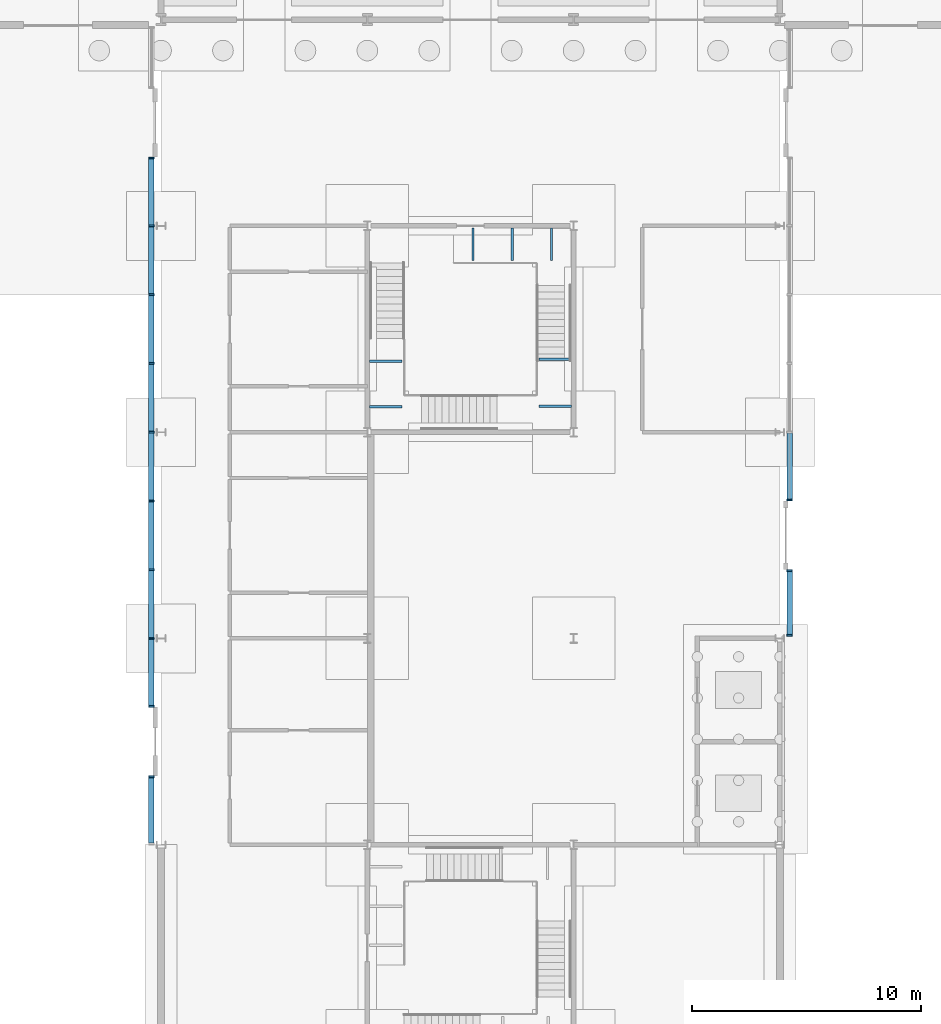
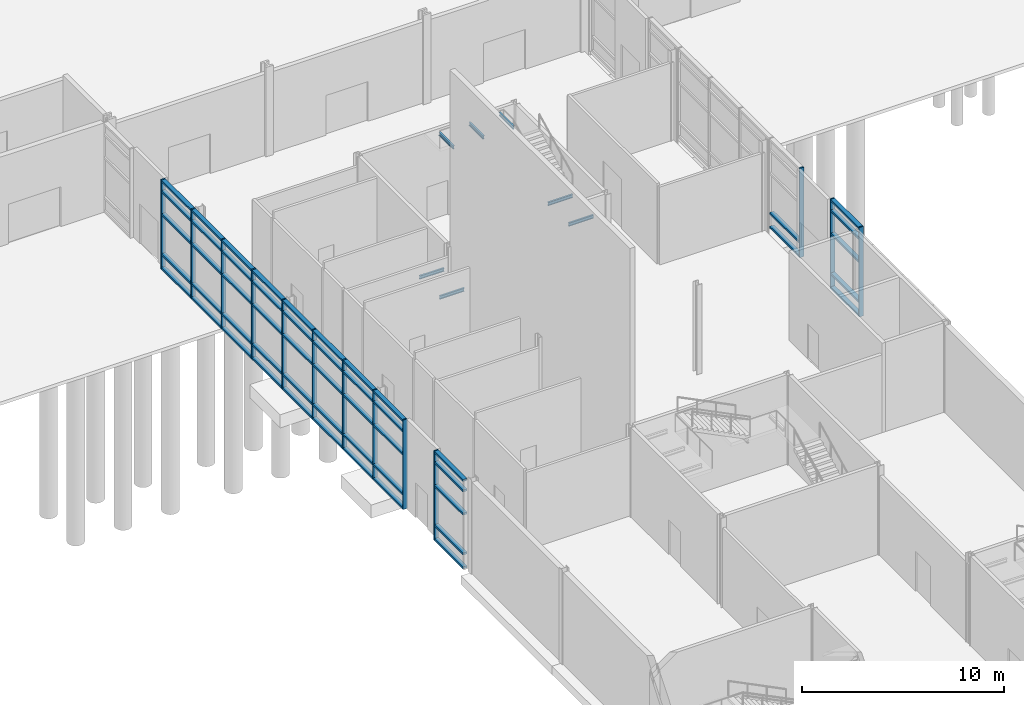
# One storey, part 15 of 45: 65 members, 7 beams, 4 elements without a shape of their own.
"""IFC4 building model written with IfcOpenShell, lengths in metres."""

from ifc_helpers import new_model, si_unit, direction, frame, origin, origin_2d, place, context, subcontext, project, spatial, rectangle, i_section, extrude, material, material_profile, profile_set, type_object, element, aggregate, save


model = new_model("IFC4")

# Units and contexts
model_context = context("Model", 3, precision=1e-05, world=origin(), true_north=direction((0.0, 1.0)))
body_context = subcontext(model_context, "Body", "Model", "MODEL_VIEW")
ifc_project = project(units=[si_unit("LENGTHUNIT", "METRE"), si_unit("AREAUNIT", "SQUARE_METRE"), si_unit("VOLUMEUNIT", "CUBIC_METRE"), si_unit("PLANEANGLEUNIT", "RADIAN"), si_unit("MASSUNIT", "GRAM", prefix="KILO")], contexts=[model_context])

# Site, building, storey
site_placement = place(None, origin())
site = spatial("IfcSite", under=ifc_project, at=site_placement, CompositionType="ELEMENT")
building_placement = place(site_placement, origin())
building = spatial("IfcBuilding", under=site, at=building_placement, Name="Azimuth Sports and Learning Centre", CompositionType="ELEMENT")
storey_placement = place(building_placement, origin())
storey = spatial("IfcBuildingStorey", under=building, at=storey_placement, Name="L00", CompositionType="ELEMENT", Elevation=0.0)

# Beams
ifc_material_1 = material(Name="Steel S355", Category="steel")
ifc_material_profile_1 = material_profile(ifc_material_1, i_section(OverallWidth=0.10009765625, OverallDepth=0.199951171875, WebThickness=0.005615234375, FlangeThickness=0.008544921875, FilletRadius=0.011962890625, at=origin_2d()), Name="IPE 200")
ifc_profile_set_1 = profile_set([ifc_material_profile_1], Name="Steel S355")
beam_type = type_object("IfcBeamType", Name="Beam IPE 200", PredefinedType="BEAM", material=ifc_profile_set_1)
for number, where, z_axis, x_axis, name in (
    (1, (81.10009765625, 73.105224609375, 1.5), (1.0, 0.0, 0.0), (0.0, 1.0, 0.0), "Landing bracket STD L00 1161"),
    (2, (81.10009765625, 75.095458984375, 1.5), (1.0, 0.0, 0.0), (0.0, 1.0, 0.0), "Landing bracket STD L00 1162"),
    (3, (89.89990234375, 73.135009765625, 3.300048828125), (-1.0, 0.0, 0.0), (0.0, -1.0, 0.0), "Landing bracket STD L00 1163"),
    (4, (89.89990234375, 75.18505859375, 3.300048828125), (-1.0, 0.0, 0.0), (0.0, -1.0, 0.0), "Landing bracket STD L00 1164"),
    (5, (85.606689453125, 80.89990234375, 5.10009765625), (0.0, -1.0, 0.0), (1.0, 0.0, 0.0), "Landing bracket STD L00 1165"),
    (6, (87.320068359375, 80.89990234375, 5.10009765625), (0.0, -1.0, 0.0), (1.0, 0.0, 0.0), "Landing bracket STD L00 1166"),
    (7, (89.033447265625, 80.89990234375, 5.10009765625), (0.0, -1.0, 0.0), (1.0, 0.0, 0.0), "Landing bracket STD L00 1167"),
):
    element("IfcBeam", number, at=place(storey_placement, frame(where, z_axis=z_axis, x_axis=x_axis)), inside=storey, type_object=beam_type, Name=name, PredefinedType="BEAM", context=body_context, shape_type="SweptSolid", body=[
        extrude(i_section(OverallWidth=0.10009765625, OverallDepth=0.199951171875, WebThickness=0.005615234375, FlangeThickness=0.008544921875, FilletRadius=0.011962890625, at=origin_2d()), origin(), (0.0, 0.0, 1.0), 1.409912109375),
    ])

# Curtain wall, members
ifc_material_2 = material(Name="Aluminium and glass", Category="aluminium")
curtain_wall_type = type_object("IfcCurtainWallType", Name="Curtain wall podium stem 240", PredefinedType="NOTDEFINED", material=ifc_material_2)
curtain_wall_1_placement = place(storey_placement, origin())
curtain_wall_1 = element("IfcCurtainWall", 8, at=curtain_wall_1_placement, inside=storey, type_object=curtain_wall_type, Name="Curtain wall CW00-004", PredefinedType="NOTDEFINED")
ifc_material_3 = material(Name="Aluminium", Category="aluminium")
ifc_material_profile_2 = material_profile(ifc_material_3, rectangle(XDim=0.239990234375, YDim=0.080078125, at=origin_2d()), Name="Mullion 80x240")
ifc_profile_set_2 = profile_set([ifc_material_profile_2], Name="Aluminium")
member_type_1 = type_object("IfcMemberType", Name="Mullion 80x240", PredefinedType="MULLION", material=ifc_profile_set_2)
member_1_placement = place(storey_placement, frame((71.580078125, 83.9599609375, 0.0), z_axis=(0.0, 0.0, 1.0), x_axis=(1.0, 0.0, 0.0)))
member_1 = element("IfcMember", 9, at=member_1_placement, type_object=member_type_1, Name="CW00-004 mullion 1", PredefinedType="MULLION", context=body_context, shape_type="SweptSolid", body=[
    extrude(rectangle(XDim=0.239990234375, YDim=0.080078125, at=origin_2d()), origin(), (0.0, 0.0, 1.0), 5.39990234375),
])
member_2_placement = place(storey_placement, frame((71.580078125, 81.0, 0.0), z_axis=(0.0, 0.0, 1.0), x_axis=(1.0, 0.0, 0.0)))
member_2 = element("IfcMember", 10, at=member_2_placement, type_object=member_type_1, Name="CW00-004 mullion 2", PredefinedType="MULLION", context=body_context, shape_type="SweptSolid", body=[
    extrude(rectangle(XDim=0.239990234375, YDim=0.080078125, at=origin_2d()), origin(), (0.0, 0.0, 1.0), 5.39990234375),
])
member_3_placement = place(storey_placement, frame((71.580078125, 78.0, 0.0), z_axis=(0.0, 0.0, 1.0), x_axis=(1.0, 0.0, 0.0)))
member_3 = element("IfcMember", 11, at=member_3_placement, type_object=member_type_1, Name="CW00-004 mullion 3", PredefinedType="MULLION", context=body_context, shape_type="SweptSolid", body=[
    extrude(rectangle(XDim=0.239990234375, YDim=0.080078125, at=origin_2d()), origin(), (0.0, 0.0, 1.0), 5.39990234375),
])
member_4_placement = place(storey_placement, frame((71.580078125, 75.0, 0.0), z_axis=(0.0, 0.0, 1.0), x_axis=(1.0, 0.0, 0.0)))
member_4 = element("IfcMember", 12, at=member_4_placement, type_object=member_type_1, Name="CW00-004 mullion 4", PredefinedType="MULLION", context=body_context, shape_type="SweptSolid", body=[
    extrude(rectangle(XDim=0.239990234375, YDim=0.080078125, at=origin_2d()), origin(), (0.0, 0.0, 1.0), 5.39990234375),
])
member_5_placement = place(storey_placement, frame((71.580078125, 72.0, 0.0), z_axis=(0.0, 0.0, 1.0), x_axis=(1.0, 0.0, 0.0)))
member_5 = element("IfcMember", 13, at=member_5_placement, type_object=member_type_1, Name="CW00-004 mullion 5", PredefinedType="MULLION", context=body_context, shape_type="SweptSolid", body=[
    extrude(rectangle(XDim=0.239990234375, YDim=0.080078125, at=origin_2d()), origin(), (0.0, 0.0, 1.0), 5.39990234375),
])
member_6_placement = place(storey_placement, frame((71.580078125, 69.0, 0.0), z_axis=(0.0, 0.0, 1.0), x_axis=(1.0, 0.0, 0.0)))
member_6 = element("IfcMember", 14, at=member_6_placement, type_object=member_type_1, Name="CW00-004 mullion 6", PredefinedType="MULLION", context=body_context, shape_type="SweptSolid", body=[
    extrude(rectangle(XDim=0.239990234375, YDim=0.080078125, at=origin_2d()), origin(), (0.0, 0.0, 1.0), 5.39990234375),
])
member_7_placement = place(storey_placement, frame((71.580078125, 66.0, 0.0), z_axis=(0.0, 0.0, 1.0), x_axis=(1.0, 0.0, 0.0)))
member_7 = element("IfcMember", 15, at=member_7_placement, type_object=member_type_1, Name="CW00-004 mullion 7", PredefinedType="MULLION", context=body_context, shape_type="SweptSolid", body=[
    extrude(rectangle(XDim=0.239990234375, YDim=0.080078125, at=origin_2d()), origin(), (0.0, 0.0, 1.0), 5.39990234375),
])
member_8_placement = place(storey_placement, frame((71.580078125, 63.0, 0.0), z_axis=(0.0, 0.0, 1.0), x_axis=(1.0, 0.0, 0.0)))
member_8 = element("IfcMember", 16, at=member_8_placement, type_object=member_type_1, Name="CW00-004 mullion 8", PredefinedType="MULLION", context=body_context, shape_type="SweptSolid", body=[
    extrude(rectangle(XDim=0.239990234375, YDim=0.080078125, at=origin_2d()), origin(), (0.0, 0.0, 1.0), 5.39990234375),
])
member_9_placement = place(storey_placement, frame((71.580078125, 60.0400390625, 0.0), z_axis=(0.0, 0.0, 1.0), x_axis=(1.0, 0.0, 0.0)))
member_9 = element("IfcMember", 17, at=member_9_placement, type_object=member_type_1, Name="CW00-004 mullion 9", PredefinedType="MULLION", context=body_context, shape_type="SweptSolid", body=[
    extrude(rectangle(XDim=0.239990234375, YDim=0.080078125, at=origin_2d()), origin(), (0.0, 0.0, 1.0), 5.39990234375),
])

# Curtain wall, member
curtain_wall_2_placement = place(storey_placement, origin())
curtain_wall_2 = element("IfcCurtainWall", 18, at=curtain_wall_2_placement, inside=storey, type_object=curtain_wall_type, Name="Curtain wall CW00-005", PredefinedType="NOTDEFINED")
member_10_placement = place(storey_placement, frame((71.580078125, 56.9599609375, 0.0), z_axis=(0.0, 0.0, 1.0), x_axis=(1.0, 0.0, 0.0)))
member_10 = element("IfcMember", 19, at=member_10_placement, type_object=member_type_1, Name="CW00-005 mullion 1", PredefinedType="MULLION", context=body_context, shape_type="SweptSolid", body=[
    extrude(rectangle(XDim=0.239990234375, YDim=0.080078125, at=origin_2d()), origin(), (0.0, 0.0, 1.0), 5.39990234375),
])

# Curtain wall, members
curtain_wall_3_placement = place(storey_placement, origin())
curtain_wall_3 = element("IfcCurtainWall", 20, at=curtain_wall_3_placement, inside=storey, type_object=curtain_wall_type, Name="Curtain wall CW00-006", PredefinedType="NOTDEFINED")
member_11_placement = place(storey_placement, frame((99.419921875, 63.139892578125, 0.0), z_axis=(0.0, 0.0, 1.0), x_axis=(-1.0, 0.0, 0.0)))
member_11 = element("IfcMember", 21, at=member_11_placement, type_object=member_type_1, Name="CW00-006 mullion 1", PredefinedType="MULLION", context=body_context, shape_type="SweptSolid", body=[
    extrude(rectangle(XDim=0.239990234375, YDim=0.080078125, at=origin_2d()), origin(), (0.0, 0.0, 1.0), 5.39990234375),
])
member_12_placement = place(storey_placement, frame((99.419921875, 65.9599609375, 0.0), z_axis=(0.0, 0.0, 1.0), x_axis=(-1.0, 0.0, 0.0)))
member_12 = element("IfcMember", 22, at=member_12_placement, type_object=member_type_1, Name="CW00-006 mullion 2", PredefinedType="MULLION", context=body_context, shape_type="SweptSolid", body=[
    extrude(rectangle(XDim=0.239990234375, YDim=0.080078125, at=origin_2d()), origin(), (0.0, 0.0, 1.0), 5.39990234375),
])

# Curtain wall, member
curtain_wall_4_placement = place(storey_placement, origin())
curtain_wall_4 = element("IfcCurtainWall", 23, at=curtain_wall_4_placement, inside=storey, type_object=curtain_wall_type, Name="Curtain wall CW00-007", PredefinedType="NOTDEFINED")
member_13_placement = place(storey_placement, frame((99.419921875, 69.0400390625, 0.0), z_axis=(0.0, 0.0, 1.0), x_axis=(-1.0, 0.0, 0.0)))
member_13 = element("IfcMember", 24, at=member_13_placement, type_object=member_type_1, Name="CW00-007 mullion 1", PredefinedType="MULLION", context=body_context, shape_type="SweptSolid", body=[
    extrude(rectangle(XDim=0.239990234375, YDim=0.080078125, at=origin_2d()), origin(), (0.0, 0.0, 1.0), 5.39990234375),
])

# Member
ifc_material_4 = material(Name="Aluminium", Category="aluminium")
ifc_material_profile_3 = material_profile(ifc_material_4, rectangle(XDim=0.239990234375, YDim=0.1201171875, at=origin_2d()), Name="Transom 120x240")
ifc_profile_set_3 = profile_set([ifc_material_profile_3], Name="Aluminium")
member_type_2 = type_object("IfcMemberType", Name="Transom 120x240", PredefinedType="USERDEFINED", material=ifc_profile_set_3)
member_14_placement = place(storey_placement, frame((71.580078125, 83.919921875, 0.06005859375), z_axis=(0.0, -1.0, 0.0), x_axis=(1.0, 0.0, 0.0)))
member_14 = element("IfcMember", 25, at=member_14_placement, type_object=member_type_2, Name="CW00-004 transom 1.1", ObjectType="TRANSOM", PredefinedType="USERDEFINED", context=body_context, shape_type="SweptSolid", body=[
    extrude(rectangle(XDim=0.239990234375, YDim=0.1201171875, at=origin_2d()), origin(), (0.0, 0.0, 1.0), 2.8798828125),
])

member_15_placement = place(storey_placement, frame((71.580078125, 83.919921875, 0.89990234375), z_axis=(0.0, -1.0, 0.0), x_axis=(1.0, 0.0, 0.0)))
member_15 = element("IfcMember", 26, at=member_15_placement, type_object=member_type_2, Name="CW00-004 transom 1.2", ObjectType="TRANSOM", PredefinedType="USERDEFINED", context=body_context, shape_type="SweptSolid", body=[
    extrude(rectangle(XDim=0.239990234375, YDim=0.1201171875, at=origin_2d()), origin(), (0.0, 0.0, 1.0), 2.8798828125),
])

member_16_placement = place(storey_placement, frame((71.580078125, 83.919921875, 3.300048828125), z_axis=(0.0, -1.0, 0.0), x_axis=(1.0, 0.0, 0.0)))
member_16 = element("IfcMember", 27, at=member_16_placement, type_object=member_type_2, Name="CW00-004 transom 1.3", ObjectType="TRANSOM", PredefinedType="USERDEFINED", context=body_context, shape_type="SweptSolid", body=[
    extrude(rectangle(XDim=0.239990234375, YDim=0.1201171875, at=origin_2d()), origin(), (0.0, 0.0, 1.0), 2.8798828125),
])

member_17_placement = place(storey_placement, frame((71.580078125, 83.919921875, 4.699951171875), z_axis=(0.0, -1.0, 0.0), x_axis=(1.0, 0.0, 0.0)))
member_17 = element("IfcMember", 28, at=member_17_placement, type_object=member_type_2, Name="CW00-004 transom 1.4", ObjectType="TRANSOM", PredefinedType="USERDEFINED", context=body_context, shape_type="SweptSolid", body=[
    extrude(rectangle(XDim=0.239990234375, YDim=0.1201171875, at=origin_2d()), origin(), (0.0, 0.0, 1.0), 2.8798828125),
])

member_18_placement = place(storey_placement, frame((71.580078125, 83.919921875, 5.340087890625), z_axis=(0.0, -1.0, 0.0), x_axis=(1.0, 0.0, 0.0)))
member_18 = element("IfcMember", 29, at=member_18_placement, type_object=member_type_2, Name="CW00-004 transom 1.5", ObjectType="TRANSOM", PredefinedType="USERDEFINED", context=body_context, shape_type="SweptSolid", body=[
    extrude(rectangle(XDim=0.239990234375, YDim=0.1201171875, at=origin_2d()), origin(), (0.0, 0.0, 1.0), 2.8798828125),
])

member_19_placement = place(storey_placement, frame((71.580078125, 80.9599609375, 0.06005859375), z_axis=(0.0, -1.0, 0.0), x_axis=(1.0, 0.0, 0.0)))
member_19 = element("IfcMember", 30, at=member_19_placement, type_object=member_type_2, Name="CW00-004 transom 2.1", ObjectType="TRANSOM", PredefinedType="USERDEFINED", context=body_context, shape_type="SweptSolid", body=[
    extrude(rectangle(XDim=0.239990234375, YDim=0.1201171875, at=origin_2d()), origin(), (0.0, 0.0, 1.0), 2.919921875),
])

member_20_placement = place(storey_placement, frame((71.580078125, 80.9599609375, 0.89990234375), z_axis=(0.0, -1.0, 0.0), x_axis=(1.0, 0.0, 0.0)))
member_20 = element("IfcMember", 31, at=member_20_placement, type_object=member_type_2, Name="CW00-004 transom 2.2", ObjectType="TRANSOM", PredefinedType="USERDEFINED", context=body_context, shape_type="SweptSolid", body=[
    extrude(rectangle(XDim=0.239990234375, YDim=0.1201171875, at=origin_2d()), origin(), (0.0, 0.0, 1.0), 2.919921875),
])

member_21_placement = place(storey_placement, frame((71.580078125, 80.9599609375, 3.300048828125), z_axis=(0.0, -1.0, 0.0), x_axis=(1.0, 0.0, 0.0)))
member_21 = element("IfcMember", 32, at=member_21_placement, type_object=member_type_2, Name="CW00-004 transom 2.3", ObjectType="TRANSOM", PredefinedType="USERDEFINED", context=body_context, shape_type="SweptSolid", body=[
    extrude(rectangle(XDim=0.239990234375, YDim=0.1201171875, at=origin_2d()), origin(), (0.0, 0.0, 1.0), 2.919921875),
])

member_22_placement = place(storey_placement, frame((71.580078125, 80.9599609375, 4.699951171875), z_axis=(0.0, -1.0, 0.0), x_axis=(1.0, 0.0, 0.0)))
member_22 = element("IfcMember", 33, at=member_22_placement, type_object=member_type_2, Name="CW00-004 transom 2.4", ObjectType="TRANSOM", PredefinedType="USERDEFINED", context=body_context, shape_type="SweptSolid", body=[
    extrude(rectangle(XDim=0.239990234375, YDim=0.1201171875, at=origin_2d()), origin(), (0.0, 0.0, 1.0), 2.919921875),
])

member_23_placement = place(storey_placement, frame((71.580078125, 80.9599609375, 5.340087890625), z_axis=(0.0, -1.0, 0.0), x_axis=(1.0, 0.0, 0.0)))
member_23 = element("IfcMember", 34, at=member_23_placement, type_object=member_type_2, Name="CW00-004 transom 2.5", ObjectType="TRANSOM", PredefinedType="USERDEFINED", context=body_context, shape_type="SweptSolid", body=[
    extrude(rectangle(XDim=0.239990234375, YDim=0.1201171875, at=origin_2d()), origin(), (0.0, 0.0, 1.0), 2.919921875),
])

member_24_placement = place(storey_placement, frame((71.580078125, 77.9599609375, 0.06005859375), z_axis=(0.0, -1.0, 0.0), x_axis=(1.0, 0.0, 0.0)))
member_24 = element("IfcMember", 35, at=member_24_placement, type_object=member_type_2, Name="CW00-004 transom 3.1", ObjectType="TRANSOM", PredefinedType="USERDEFINED", context=body_context, shape_type="SweptSolid", body=[
    extrude(rectangle(XDim=0.239990234375, YDim=0.1201171875, at=origin_2d()), origin(), (0.0, 0.0, 1.0), 2.919921875),
])

member_25_placement = place(storey_placement, frame((71.580078125, 77.9599609375, 0.89990234375), z_axis=(0.0, -1.0, 0.0), x_axis=(1.0, 0.0, 0.0)))
member_25 = element("IfcMember", 36, at=member_25_placement, type_object=member_type_2, Name="CW00-004 transom 3.2", ObjectType="TRANSOM", PredefinedType="USERDEFINED", context=body_context, shape_type="SweptSolid", body=[
    extrude(rectangle(XDim=0.239990234375, YDim=0.1201171875, at=origin_2d()), origin(), (0.0, 0.0, 1.0), 2.919921875),
])

member_26_placement = place(storey_placement, frame((71.580078125, 77.9599609375, 3.300048828125), z_axis=(0.0, -1.0, 0.0), x_axis=(1.0, 0.0, 0.0)))
member_26 = element("IfcMember", 37, at=member_26_placement, type_object=member_type_2, Name="CW00-004 transom 3.3", ObjectType="TRANSOM", PredefinedType="USERDEFINED", context=body_context, shape_type="SweptSolid", body=[
    extrude(rectangle(XDim=0.239990234375, YDim=0.1201171875, at=origin_2d()), origin(), (0.0, 0.0, 1.0), 2.919921875),
])

member_27_placement = place(storey_placement, frame((71.580078125, 77.9599609375, 4.699951171875), z_axis=(0.0, -1.0, 0.0), x_axis=(1.0, 0.0, 0.0)))
member_27 = element("IfcMember", 38, at=member_27_placement, type_object=member_type_2, Name="CW00-004 transom 3.4", ObjectType="TRANSOM", PredefinedType="USERDEFINED", context=body_context, shape_type="SweptSolid", body=[
    extrude(rectangle(XDim=0.239990234375, YDim=0.1201171875, at=origin_2d()), origin(), (0.0, 0.0, 1.0), 2.919921875),
])

member_28_placement = place(storey_placement, frame((71.580078125, 77.9599609375, 5.340087890625), z_axis=(0.0, -1.0, 0.0), x_axis=(1.0, 0.0, 0.0)))
member_28 = element("IfcMember", 39, at=member_28_placement, type_object=member_type_2, Name="CW00-004 transom 3.5", ObjectType="TRANSOM", PredefinedType="USERDEFINED", context=body_context, shape_type="SweptSolid", body=[
    extrude(rectangle(XDim=0.239990234375, YDim=0.1201171875, at=origin_2d()), origin(), (0.0, 0.0, 1.0), 2.919921875),
])

member_29_placement = place(storey_placement, frame((71.580078125, 74.9599609375, 0.06005859375), z_axis=(0.0, -1.0, 0.0), x_axis=(1.0, 0.0, 0.0)))
member_29 = element("IfcMember", 40, at=member_29_placement, type_object=member_type_2, Name="CW00-004 transom 4.1", ObjectType="TRANSOM", PredefinedType="USERDEFINED", context=body_context, shape_type="SweptSolid", body=[
    extrude(rectangle(XDim=0.239990234375, YDim=0.1201171875, at=origin_2d()), origin(), (0.0, 0.0, 1.0), 2.919921875),
])

member_30_placement = place(storey_placement, frame((71.580078125, 74.9599609375, 0.89990234375), z_axis=(0.0, -1.0, 0.0), x_axis=(1.0, 0.0, 0.0)))
member_30 = element("IfcMember", 41, at=member_30_placement, type_object=member_type_2, Name="CW00-004 transom 4.2", ObjectType="TRANSOM", PredefinedType="USERDEFINED", context=body_context, shape_type="SweptSolid", body=[
    extrude(rectangle(XDim=0.239990234375, YDim=0.1201171875, at=origin_2d()), origin(), (0.0, 0.0, 1.0), 2.919921875),
])

member_31_placement = place(storey_placement, frame((71.580078125, 74.9599609375, 3.300048828125), z_axis=(0.0, -1.0, 0.0), x_axis=(1.0, 0.0, 0.0)))
member_31 = element("IfcMember", 42, at=member_31_placement, type_object=member_type_2, Name="CW00-004 transom 4.3", ObjectType="TRANSOM", PredefinedType="USERDEFINED", context=body_context, shape_type="SweptSolid", body=[
    extrude(rectangle(XDim=0.239990234375, YDim=0.1201171875, at=origin_2d()), origin(), (0.0, 0.0, 1.0), 2.919921875),
])

member_32_placement = place(storey_placement, frame((71.580078125, 74.9599609375, 4.699951171875), z_axis=(0.0, -1.0, 0.0), x_axis=(1.0, 0.0, 0.0)))
member_32 = element("IfcMember", 43, at=member_32_placement, type_object=member_type_2, Name="CW00-004 transom 4.4", ObjectType="TRANSOM", PredefinedType="USERDEFINED", context=body_context, shape_type="SweptSolid", body=[
    extrude(rectangle(XDim=0.239990234375, YDim=0.1201171875, at=origin_2d()), origin(), (0.0, 0.0, 1.0), 2.919921875),
])

member_33_placement = place(storey_placement, frame((71.580078125, 74.9599609375, 5.340087890625), z_axis=(0.0, -1.0, 0.0), x_axis=(1.0, 0.0, 0.0)))
member_33 = element("IfcMember", 44, at=member_33_placement, type_object=member_type_2, Name="CW00-004 transom 4.5", ObjectType="TRANSOM", PredefinedType="USERDEFINED", context=body_context, shape_type="SweptSolid", body=[
    extrude(rectangle(XDim=0.239990234375, YDim=0.1201171875, at=origin_2d()), origin(), (0.0, 0.0, 1.0), 2.919921875),
])

member_34_placement = place(storey_placement, frame((71.580078125, 71.9599609375, 0.06005859375), z_axis=(0.0, -1.0, 0.0), x_axis=(1.0, 0.0, 0.0)))
member_34 = element("IfcMember", 45, at=member_34_placement, type_object=member_type_2, Name="CW00-004 transom 5.1", ObjectType="TRANSOM", PredefinedType="USERDEFINED", context=body_context, shape_type="SweptSolid", body=[
    extrude(rectangle(XDim=0.239990234375, YDim=0.1201171875, at=origin_2d()), origin(), (0.0, 0.0, 1.0), 2.919921875),
])

member_35_placement = place(storey_placement, frame((71.580078125, 71.9599609375, 0.89990234375), z_axis=(0.0, -1.0, 0.0), x_axis=(1.0, 0.0, 0.0)))
member_35 = element("IfcMember", 46, at=member_35_placement, type_object=member_type_2, Name="CW00-004 transom 5.2", ObjectType="TRANSOM", PredefinedType="USERDEFINED", context=body_context, shape_type="SweptSolid", body=[
    extrude(rectangle(XDim=0.239990234375, YDim=0.1201171875, at=origin_2d()), origin(), (0.0, 0.0, 1.0), 2.919921875),
])

member_36_placement = place(storey_placement, frame((71.580078125, 71.9599609375, 3.300048828125), z_axis=(0.0, -1.0, 0.0), x_axis=(1.0, 0.0, 0.0)))
member_36 = element("IfcMember", 47, at=member_36_placement, type_object=member_type_2, Name="CW00-004 transom 5.3", ObjectType="TRANSOM", PredefinedType="USERDEFINED", context=body_context, shape_type="SweptSolid", body=[
    extrude(rectangle(XDim=0.239990234375, YDim=0.1201171875, at=origin_2d()), origin(), (0.0, 0.0, 1.0), 2.919921875),
])

member_37_placement = place(storey_placement, frame((71.580078125, 71.9599609375, 4.699951171875), z_axis=(0.0, -1.0, 0.0), x_axis=(1.0, 0.0, 0.0)))
member_37 = element("IfcMember", 48, at=member_37_placement, type_object=member_type_2, Name="CW00-004 transom 5.4", ObjectType="TRANSOM", PredefinedType="USERDEFINED", context=body_context, shape_type="SweptSolid", body=[
    extrude(rectangle(XDim=0.239990234375, YDim=0.1201171875, at=origin_2d()), origin(), (0.0, 0.0, 1.0), 2.919921875),
])

member_38_placement = place(storey_placement, frame((71.580078125, 71.9599609375, 5.340087890625), z_axis=(0.0, -1.0, 0.0), x_axis=(1.0, 0.0, 0.0)))
member_38 = element("IfcMember", 49, at=member_38_placement, type_object=member_type_2, Name="CW00-004 transom 5.5", ObjectType="TRANSOM", PredefinedType="USERDEFINED", context=body_context, shape_type="SweptSolid", body=[
    extrude(rectangle(XDim=0.239990234375, YDim=0.1201171875, at=origin_2d()), origin(), (0.0, 0.0, 1.0), 2.919921875),
])

member_39_placement = place(storey_placement, frame((71.580078125, 68.9599609375, 0.06005859375), z_axis=(0.0, -1.0, 0.0), x_axis=(1.0, 0.0, 0.0)))
member_39 = element("IfcMember", 50, at=member_39_placement, type_object=member_type_2, Name="CW00-004 transom 6.1", ObjectType="TRANSOM", PredefinedType="USERDEFINED", context=body_context, shape_type="SweptSolid", body=[
    extrude(rectangle(XDim=0.239990234375, YDim=0.1201171875, at=origin_2d()), origin(), (0.0, 0.0, 1.0), 2.919921875),
])

member_40_placement = place(storey_placement, frame((71.580078125, 68.9599609375, 0.89990234375), z_axis=(0.0, -1.0, 0.0), x_axis=(1.0, 0.0, 0.0)))
member_40 = element("IfcMember", 51, at=member_40_placement, type_object=member_type_2, Name="CW00-004 transom 6.2", ObjectType="TRANSOM", PredefinedType="USERDEFINED", context=body_context, shape_type="SweptSolid", body=[
    extrude(rectangle(XDim=0.239990234375, YDim=0.1201171875, at=origin_2d()), origin(), (0.0, 0.0, 1.0), 2.919921875),
])

member_41_placement = place(storey_placement, frame((71.580078125, 68.9599609375, 3.300048828125), z_axis=(0.0, -1.0, 0.0), x_axis=(1.0, 0.0, 0.0)))
member_41 = element("IfcMember", 52, at=member_41_placement, type_object=member_type_2, Name="CW00-004 transom 6.3", ObjectType="TRANSOM", PredefinedType="USERDEFINED", context=body_context, shape_type="SweptSolid", body=[
    extrude(rectangle(XDim=0.239990234375, YDim=0.1201171875, at=origin_2d()), origin(), (0.0, 0.0, 1.0), 2.919921875),
])

member_42_placement = place(storey_placement, frame((71.580078125, 68.9599609375, 4.699951171875), z_axis=(0.0, -1.0, 0.0), x_axis=(1.0, 0.0, 0.0)))
member_42 = element("IfcMember", 53, at=member_42_placement, type_object=member_type_2, Name="CW00-004 transom 6.4", ObjectType="TRANSOM", PredefinedType="USERDEFINED", context=body_context, shape_type="SweptSolid", body=[
    extrude(rectangle(XDim=0.239990234375, YDim=0.1201171875, at=origin_2d()), origin(), (0.0, 0.0, 1.0), 2.919921875),
])

member_43_placement = place(storey_placement, frame((71.580078125, 68.9599609375, 5.340087890625), z_axis=(0.0, -1.0, 0.0), x_axis=(1.0, 0.0, 0.0)))
member_43 = element("IfcMember", 54, at=member_43_placement, type_object=member_type_2, Name="CW00-004 transom 6.5", ObjectType="TRANSOM", PredefinedType="USERDEFINED", context=body_context, shape_type="SweptSolid", body=[
    extrude(rectangle(XDim=0.239990234375, YDim=0.1201171875, at=origin_2d()), origin(), (0.0, 0.0, 1.0), 2.919921875),
])

member_44_placement = place(storey_placement, frame((71.580078125, 65.9599609375, 0.06005859375), z_axis=(0.0, -1.0, 0.0), x_axis=(1.0, 0.0, 0.0)))
member_44 = element("IfcMember", 55, at=member_44_placement, type_object=member_type_2, Name="CW00-004 transom 7.1", ObjectType="TRANSOM", PredefinedType="USERDEFINED", context=body_context, shape_type="SweptSolid", body=[
    extrude(rectangle(XDim=0.239990234375, YDim=0.1201171875, at=origin_2d()), origin(), (0.0, 0.0, 1.0), 2.919921875),
])

member_45_placement = place(storey_placement, frame((71.580078125, 65.9599609375, 0.89990234375), z_axis=(0.0, -1.0, 0.0), x_axis=(1.0, 0.0, 0.0)))
member_45 = element("IfcMember", 56, at=member_45_placement, type_object=member_type_2, Name="CW00-004 transom 7.2", ObjectType="TRANSOM", PredefinedType="USERDEFINED", context=body_context, shape_type="SweptSolid", body=[
    extrude(rectangle(XDim=0.239990234375, YDim=0.1201171875, at=origin_2d()), origin(), (0.0, 0.0, 1.0), 2.919921875),
])

member_46_placement = place(storey_placement, frame((71.580078125, 65.9599609375, 3.300048828125), z_axis=(0.0, -1.0, 0.0), x_axis=(1.0, 0.0, 0.0)))
member_46 = element("IfcMember", 57, at=member_46_placement, type_object=member_type_2, Name="CW00-004 transom 7.3", ObjectType="TRANSOM", PredefinedType="USERDEFINED", context=body_context, shape_type="SweptSolid", body=[
    extrude(rectangle(XDim=0.239990234375, YDim=0.1201171875, at=origin_2d()), origin(), (0.0, 0.0, 1.0), 2.919921875),
])

member_47_placement = place(storey_placement, frame((71.580078125, 65.9599609375, 4.699951171875), z_axis=(0.0, -1.0, 0.0), x_axis=(1.0, 0.0, 0.0)))
member_47 = element("IfcMember", 58, at=member_47_placement, type_object=member_type_2, Name="CW00-004 transom 7.4", ObjectType="TRANSOM", PredefinedType="USERDEFINED", context=body_context, shape_type="SweptSolid", body=[
    extrude(rectangle(XDim=0.239990234375, YDim=0.1201171875, at=origin_2d()), origin(), (0.0, 0.0, 1.0), 2.919921875),
])

member_48_placement = place(storey_placement, frame((71.580078125, 65.9599609375, 5.340087890625), z_axis=(0.0, -1.0, 0.0), x_axis=(1.0, 0.0, 0.0)))
member_48 = element("IfcMember", 59, at=member_48_placement, type_object=member_type_2, Name="CW00-004 transom 7.5", ObjectType="TRANSOM", PredefinedType="USERDEFINED", context=body_context, shape_type="SweptSolid", body=[
    extrude(rectangle(XDim=0.239990234375, YDim=0.1201171875, at=origin_2d()), origin(), (0.0, 0.0, 1.0), 2.919921875),
])

member_49_placement = place(storey_placement, frame((71.580078125, 62.9599609375, 0.06005859375), z_axis=(0.0, -1.0, 0.0), x_axis=(1.0, 0.0, 0.0)))
member_49 = element("IfcMember", 60, at=member_49_placement, type_object=member_type_2, Name="CW00-004 transom 8.1", ObjectType="TRANSOM", PredefinedType="USERDEFINED", context=body_context, shape_type="SweptSolid", body=[
    extrude(rectangle(XDim=0.239990234375, YDim=0.1201171875, at=origin_2d()), origin(), (0.0, 0.0, 1.0), 2.8798828125),
])

member_50_placement = place(storey_placement, frame((71.580078125, 62.9599609375, 0.89990234375), z_axis=(0.0, -1.0, 0.0), x_axis=(1.0, 0.0, 0.0)))
member_50 = element("IfcMember", 61, at=member_50_placement, type_object=member_type_2, Name="CW00-004 transom 8.2", ObjectType="TRANSOM", PredefinedType="USERDEFINED", context=body_context, shape_type="SweptSolid", body=[
    extrude(rectangle(XDim=0.239990234375, YDim=0.1201171875, at=origin_2d()), origin(), (0.0, 0.0, 1.0), 2.8798828125),
])

member_51_placement = place(storey_placement, frame((71.580078125, 62.9599609375, 3.300048828125), z_axis=(0.0, -1.0, 0.0), x_axis=(1.0, 0.0, 0.0)))
member_51 = element("IfcMember", 62, at=member_51_placement, type_object=member_type_2, Name="CW00-004 transom 8.3", ObjectType="TRANSOM", PredefinedType="USERDEFINED", context=body_context, shape_type="SweptSolid", body=[
    extrude(rectangle(XDim=0.239990234375, YDim=0.1201171875, at=origin_2d()), origin(), (0.0, 0.0, 1.0), 2.8798828125),
])

member_52_placement = place(storey_placement, frame((71.580078125, 62.9599609375, 4.699951171875), z_axis=(0.0, -1.0, 0.0), x_axis=(1.0, 0.0, 0.0)))
member_52 = element("IfcMember", 63, at=member_52_placement, type_object=member_type_2, Name="CW00-004 transom 8.4", ObjectType="TRANSOM", PredefinedType="USERDEFINED", context=body_context, shape_type="SweptSolid", body=[
    extrude(rectangle(XDim=0.239990234375, YDim=0.1201171875, at=origin_2d()), origin(), (0.0, 0.0, 1.0), 2.8798828125),
])

member_53_placement = place(storey_placement, frame((71.580078125, 62.9599609375, 5.340087890625), z_axis=(0.0, -1.0, 0.0), x_axis=(1.0, 0.0, 0.0)))
member_53 = element("IfcMember", 64, at=member_53_placement, type_object=member_type_2, Name="CW00-004 transom 8.5", ObjectType="TRANSOM", PredefinedType="USERDEFINED", context=body_context, shape_type="SweptSolid", body=[
    extrude(rectangle(XDim=0.239990234375, YDim=0.1201171875, at=origin_2d()), origin(), (0.0, 0.0, 1.0), 2.8798828125),
])

aggregate(curtain_wall_1, [member_1, member_2, member_3, member_4, member_5, member_6, member_7, member_8, member_9, member_14, member_15, member_16, member_17, member_18, member_19, member_20, member_21, member_22, member_23, member_24, member_25, member_26, member_27, member_28, member_29, member_30, member_31, member_32, member_33, member_34, member_35, member_36, member_37, member_38, member_39, member_40, member_41, member_42, member_43, member_44, member_45, member_46, member_47, member_48, member_49, member_50, member_51, member_52, member_53])

member_54_placement = place(storey_placement, frame((71.580078125, 56.919921875, 0.06005859375), z_axis=(0.0, -1.0, 0.0), x_axis=(1.0, 0.0, 0.0)))
member_54 = element("IfcMember", 65, at=member_54_placement, type_object=member_type_2, Name="CW00-005 transom 1.1", ObjectType="TRANSOM", PredefinedType="USERDEFINED", context=body_context, shape_type="SweptSolid", body=[
    extrude(rectangle(XDim=0.239990234375, YDim=0.1201171875, at=origin_2d()), origin(), (0.0, 0.0, 1.0), 2.83984375),
])

member_55_placement = place(storey_placement, frame((71.580078125, 56.919921875, 0.89990234375), z_axis=(0.0, -1.0, 0.0), x_axis=(1.0, 0.0, 0.0)))
member_55 = element("IfcMember", 66, at=member_55_placement, type_object=member_type_2, Name="CW00-005 transom 1.2", ObjectType="TRANSOM", PredefinedType="USERDEFINED", context=body_context, shape_type="SweptSolid", body=[
    extrude(rectangle(XDim=0.239990234375, YDim=0.1201171875, at=origin_2d()), origin(), (0.0, 0.0, 1.0), 2.83984375),
])

member_56_placement = place(storey_placement, frame((71.580078125, 56.919921875, 3.300048828125), z_axis=(0.0, -1.0, 0.0), x_axis=(1.0, 0.0, 0.0)))
member_56 = element("IfcMember", 67, at=member_56_placement, type_object=member_type_2, Name="CW00-005 transom 1.3", ObjectType="TRANSOM", PredefinedType="USERDEFINED", context=body_context, shape_type="SweptSolid", body=[
    extrude(rectangle(XDim=0.239990234375, YDim=0.1201171875, at=origin_2d()), origin(), (0.0, 0.0, 1.0), 2.83984375),
])

member_57_placement = place(storey_placement, frame((71.580078125, 56.919921875, 4.699951171875), z_axis=(0.0, -1.0, 0.0), x_axis=(1.0, 0.0, 0.0)))
member_57 = element("IfcMember", 68, at=member_57_placement, type_object=member_type_2, Name="CW00-005 transom 1.4", ObjectType="TRANSOM", PredefinedType="USERDEFINED", context=body_context, shape_type="SweptSolid", body=[
    extrude(rectangle(XDim=0.239990234375, YDim=0.1201171875, at=origin_2d()), origin(), (0.0, 0.0, 1.0), 2.83984375),
])

member_58_placement = place(storey_placement, frame((71.580078125, 56.919921875, 5.340087890625), z_axis=(0.0, -1.0, 0.0), x_axis=(1.0, 0.0, 0.0)))
member_58 = element("IfcMember", 69, at=member_58_placement, type_object=member_type_2, Name="CW00-005 transom 1.5", ObjectType="TRANSOM", PredefinedType="USERDEFINED", context=body_context, shape_type="SweptSolid", body=[
    extrude(rectangle(XDim=0.239990234375, YDim=0.1201171875, at=origin_2d()), origin(), (0.0, 0.0, 1.0), 2.83984375),
])

aggregate(curtain_wall_2, [member_10, member_54, member_55, member_56, member_57, member_58])

member_59_placement = place(storey_placement, frame((99.419921875, 63.179931640625, 0.06005859375), z_axis=(0.0, 1.0, 0.0), x_axis=(-1.0, 0.0, 0.0)))
member_59 = element("IfcMember", 70, at=member_59_placement, type_object=member_type_2, Name="CW00-006 transom 1.1", ObjectType="TRANSOM", PredefinedType="USERDEFINED", context=body_context, shape_type="SweptSolid", body=[
    extrude(rectangle(XDim=0.239990234375, YDim=0.1201171875, at=origin_2d()), origin(), (0.0, 0.0, 1.0), 2.739990234375),
])

member_60_placement = place(storey_placement, frame((99.419921875, 63.179931640625, 0.89990234375), z_axis=(0.0, 1.0, 0.0), x_axis=(-1.0, 0.0, 0.0)))
member_60 = element("IfcMember", 71, at=member_60_placement, type_object=member_type_2, Name="CW00-006 transom 1.2", ObjectType="TRANSOM", PredefinedType="USERDEFINED", context=body_context, shape_type="SweptSolid", body=[
    extrude(rectangle(XDim=0.239990234375, YDim=0.1201171875, at=origin_2d()), origin(), (0.0, 0.0, 1.0), 2.739990234375),
])

member_61_placement = place(storey_placement, frame((99.419921875, 63.179931640625, 3.300048828125), z_axis=(0.0, 1.0, 0.0), x_axis=(-1.0, 0.0, 0.0)))
member_61 = element("IfcMember", 72, at=member_61_placement, type_object=member_type_2, Name="CW00-006 transom 1.3", ObjectType="TRANSOM", PredefinedType="USERDEFINED", context=body_context, shape_type="SweptSolid", body=[
    extrude(rectangle(XDim=0.239990234375, YDim=0.1201171875, at=origin_2d()), origin(), (0.0, 0.0, 1.0), 2.739990234375),
])

member_62_placement = place(storey_placement, frame((99.419921875, 63.179931640625, 4.699951171875), z_axis=(0.0, 1.0, 0.0), x_axis=(-1.0, 0.0, 0.0)))
member_62 = element("IfcMember", 73, at=member_62_placement, type_object=member_type_2, Name="CW00-006 transom 1.4", ObjectType="TRANSOM", PredefinedType="USERDEFINED", context=body_context, shape_type="SweptSolid", body=[
    extrude(rectangle(XDim=0.239990234375, YDim=0.1201171875, at=origin_2d()), origin(), (0.0, 0.0, 1.0), 2.739990234375),
])

member_63_placement = place(storey_placement, frame((99.419921875, 63.179931640625, 5.340087890625), z_axis=(0.0, 1.0, 0.0), x_axis=(-1.0, 0.0, 0.0)))
member_63 = element("IfcMember", 74, at=member_63_placement, type_object=member_type_2, Name="CW00-006 transom 1.5", ObjectType="TRANSOM", PredefinedType="USERDEFINED", context=body_context, shape_type="SweptSolid", body=[
    extrude(rectangle(XDim=0.239990234375, YDim=0.1201171875, at=origin_2d()), origin(), (0.0, 0.0, 1.0), 2.739990234375),
])

aggregate(curtain_wall_3, [member_11, member_12, member_59, member_60, member_61, member_62, member_63])

member_64_placement = place(storey_placement, frame((99.419921875, 69.080078125, 0.06005859375), z_axis=(0.0, 1.0, 0.0), x_axis=(-1.0, 0.0, 0.0)))
member_64 = element("IfcMember", 75, at=member_64_placement, type_object=member_type_2, Name="CW00-007 transom 1.1", ObjectType="TRANSOM", PredefinedType="USERDEFINED", context=body_context, shape_type="SweptSolid", body=[
    extrude(rectangle(XDim=0.239990234375, YDim=0.1201171875, at=origin_2d()), origin(), (0.0, 0.0, 1.0), 2.8798828125),
])

member_65_placement = place(storey_placement, frame((99.419921875, 69.080078125, 0.89990234375), z_axis=(0.0, 1.0, 0.0), x_axis=(-1.0, 0.0, 0.0)))
member_65 = element("IfcMember", 76, at=member_65_placement, type_object=member_type_2, Name="CW00-007 transom 1.2", ObjectType="TRANSOM", PredefinedType="USERDEFINED", context=body_context, shape_type="SweptSolid", body=[
    extrude(rectangle(XDim=0.239990234375, YDim=0.1201171875, at=origin_2d()), origin(), (0.0, 0.0, 1.0), 2.8798828125),
])

aggregate(curtain_wall_4, [member_13, member_64, member_65])

save(model, "model.ifc")
